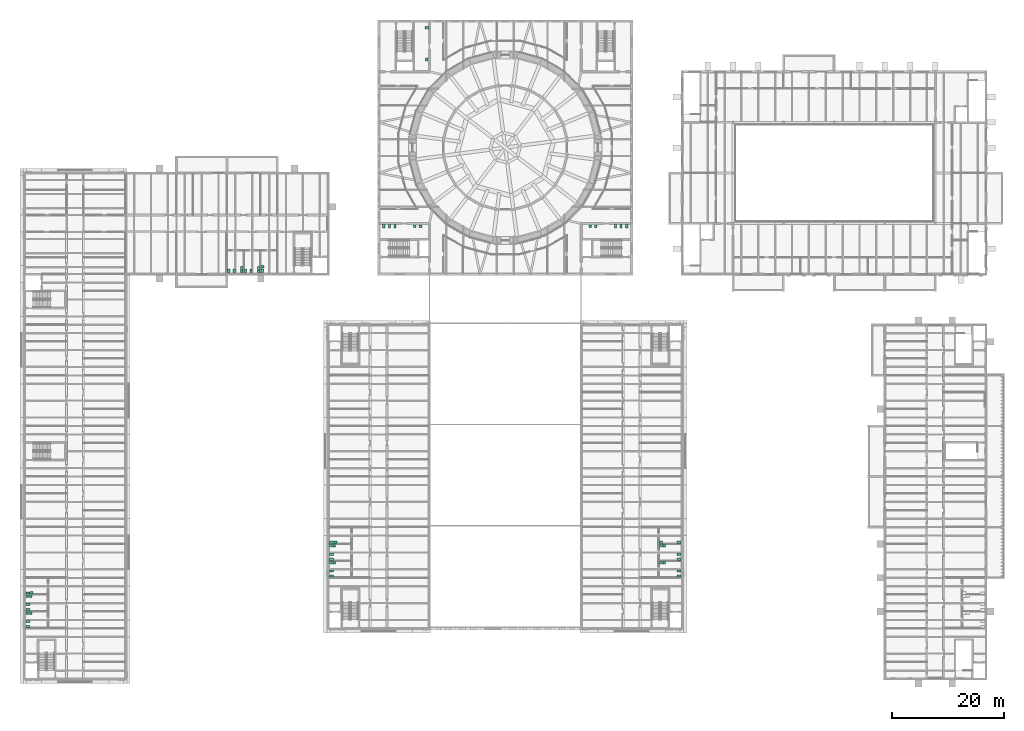
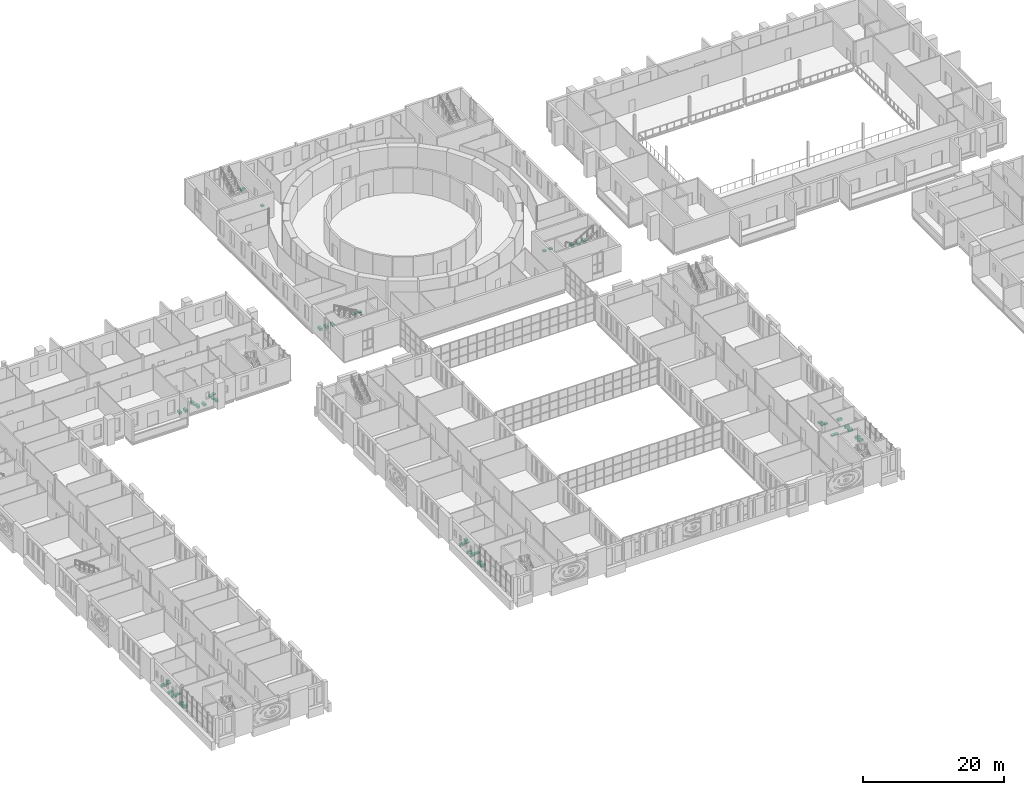
# One storey, part 130 of 131: 52 sanitary terminals.
"""IFC4 building model written with IfcOpenShell, lengths in metres."""

from ifc_helpers import new_model, si_unit, direction, frame, origin, origin_2d, place, context, subcontext, project, spatial, rectangle, extrude, material, type_object, element, save


model = new_model("IFC4")

# Units and contexts
model_context = context("Model", 3, precision=1e-05, world=origin(), true_north=direction((0.0, 1.0)))
body_context = subcontext(model_context, "Body", "Model", "MODEL_VIEW")
ifc_project = project(units=[si_unit("LENGTHUNIT", "METRE"), si_unit("AREAUNIT", "SQUARE_METRE"), si_unit("VOLUMEUNIT", "CUBIC_METRE"), si_unit("PLANEANGLEUNIT", "RADIAN"), si_unit("MASSUNIT", "GRAM", prefix="KILO")], contexts=[model_context])

# Site, building, storey
site_placement = place(None, origin())
site = spatial("IfcSite", under=ifc_project, at=site_placement, CompositionType="ELEMENT")
building_placement = place(site_placement, origin())
building = spatial("IfcBuilding", under=site, at=building_placement, Name="Golden Quay Civic Hall", CompositionType="ELEMENT")
storey_placement = place(building_placement, frame((0.0, 0.0, 9.89990234375)))
storey = spatial("IfcBuildingStorey", under=building, at=storey_placement, Name="L02", CompositionType="ELEMENT", Elevation=9.89990234375)

# Sanitary terminals
ifc_material_1 = material(Name="Ceramic")
sanitary_terminal_type_1 = type_object("IfcSanitaryTerminalType", Name="Toilet pan", PredefinedType="TOILETPAN", material=ifc_material_1)
for number, where, z_axis, x_axis, name in (
    (1, (63.89990234375, 71.550048828125, 0.000244140625), (0.0, 0.0, 1.0), (1.0, 0.0, 0.0), "Toilet pan"),
    (2, (64.89990234375, 71.550048828125, 0.000244140625), (0.0, 0.0, 1.0), (1.0, 0.0, 0.0), "Toilet pan"),
    (3, (65.89990234375, 71.550048828125, 0.000244140625), (0.0, 0.0, 1.0), (1.0, 0.0, 0.0), "Toilet pan"),
    (4, (107.10009765625, 71.550048828125, 0.000244140625), (0.0, 0.0, 1.0), (1.0, 0.0, 0.0), "Toilet pan"),
    (5, (106.10009765625, 71.550048828125, 0.000244140625), (0.0, 0.0, 1.0), (1.0, 0.0, 0.0), "Toilet pan"),
    (6, (105.10009765625, 71.550048828125, 0.000244140625), (0.0, 0.0, 1.0), (1.0, 0.0, 0.0), "Toilet pan"),
    (7, (71.550048828125, 106.800048828125, 0.000244140625), (0.0, 0.0, 1.0), (0.0, 1.0, 0.0), "Toilet pan"),
    (8, (116.39990234375, 9.324951171875, 0.000244140625), (0.0, 0.0, 1.0), (0.0, 1.0, 0.0), "Toilet pan"),
    (9, (116.39990234375, 10.22509765625, 0.000244140625), (0.0, 0.0, 1.0), (0.0, 1.0, 0.0), "Toilet pan"),
    (10, (116.39990234375, 12.300048828125, 0.000244140625), (0.0, 0.0, 1.0), (0.0, 1.0, 0.0), "Toilet pan"),
    (11, (116.39990234375, 13.199951171875, 0.000244140625), (0.0, 0.0, 1.0), (0.0, 1.0, 0.0), "Toilet pan"),
    (12, (116.39990234375, 15.300048828125, 0.000244140625), (0.0, 0.0, 1.0), (0.0, 1.0, 0.0), "Toilet pan"),
    (13, (36.324951171875, 63.60009765625, 0.000244140625), (0.0, 0.0, 1.0), (1.0, 0.0, 0.0), "Toilet pan"),
    (14, (37.324951171875, 63.60009765625, 0.000244140625), (0.0, 0.0, 1.0), (1.0, 0.0, 0.0), "Toilet pan"),
    (15, (39.300048828125, 63.60009765625, 0.000244140625), (0.0, 0.0, 1.0), (1.0, 0.0, 0.0), "Toilet pan"),
    (16, (40.300048828125, 63.60009765625, 0.000244140625), (0.0, 0.0, 1.0), (1.0, 0.0, 0.0), "Toilet pan"),
    (17, (42.300048828125, 63.60009765625, 0.000244140625), (0.0, 0.0, 1.0), (1.0, 0.0, 0.0), "Toilet pan"),
    (18, (54.60009765625, 9.324951171875, 0.000244140625), (0.0, 0.0, 1.0), (0.0, 1.0, 0.0), "Toilet pan"),
    (19, (54.60009765625, 10.22509765625, 0.000244140625), (0.0, 0.0, 1.0), (0.0, 1.0, 0.0), "Toilet pan"),
    (20, (54.60009765625, 12.300048828125, 0.000244140625), (0.0, 0.0, 1.0), (0.0, 1.0, 0.0), "Toilet pan"),
    (21, (54.60009765625, 13.199951171875, 0.000244140625), (0.0, 0.0, 1.0), (0.0, 1.0, 0.0), "Toilet pan"),
    (22, (54.60009765625, 15.300048828125, 0.000244140625), (0.0, 0.0, 1.0), (0.0, 1.0, 0.0), "Toilet pan"),
    (23, (0.60009765625, 0.324951171875, 0.000244140625), (0.0, 0.0, 1.0), (0.0, 1.0, 0.0), "Toilet pan"),
    (24, (0.60009765625, 1.22509765625, 0.000244140625), (0.0, 0.0, 1.0), (0.0, 1.0, 0.0), "Toilet pan"),
    (25, (0.60009765625, 3.300048828125, 0.000244140625), (0.0, 0.0, 1.0), (0.0, 1.0, 0.0), "Toilet pan"),
    (26, (0.60009765625, 4.300048828125, 0.000244140625), (0.0, 0.0, 1.0), (0.0, 1.0, 0.0), "Toilet pan"),
    (27, (0.60009765625, 6.300048828125, 0.000244140625), (0.0, 0.0, 1.0), (0.0, 1.0, 0.0), "Toilet pan"),
):
    element("IfcSanitaryTerminal", number, at=place(storey_placement, frame(where, z_axis=z_axis, x_axis=x_axis)), inside=storey, type_object=sanitary_terminal_type_1, Name=name, PredefinedType="TOILETPAN", context=body_context, shape_type="SweptSolid", body=[
        extrude(rectangle(XDim=0.39990234375, YDim=0.699951171875, at=origin_2d()), origin(), (0.0, 0.0, 1.0), 0.39990234375),
    ])
ifc_material_2 = material(Name="Ceramic")
sanitary_terminal_type_2 = type_object("IfcSanitaryTerminalType", Name="Wash basin", PredefinedType="WASHHANDBASIN", material=ifc_material_2)
for number, where, z_axis, x_axis, name in (
    (28, (69.39990234375, 71.550048828125, 0.7001953125), (0.0, 0.0, 1.0), (1.0, 0.0, 0.0), "Wash basin"),
    (29, (70.39990234375, 71.550048828125, 0.7001953125), (0.0, 0.0, 1.0), (1.0, 0.0, 0.0), "Wash basin"),
    (30, (101.60009765625, 71.550048828125, 0.7001953125), (0.0, 0.0, 1.0), (1.0, 0.0, 0.0), "Wash basin"),
    (31, (100.60009765625, 71.550048828125, 0.7001953125), (0.0, 0.0, 1.0), (1.0, 0.0, 0.0), "Wash basin"),
    (32, (71.550048828125, 101.199951171875, 0.7001953125), (0.0, 0.0, 1.0), (0.0, 1.0, 0.0), "Wash basin"),
    (33, (113.175048828125, 11.675048828125, 0.7001953125), (0.0, 0.0, 1.0), (1.0, 0.0, 0.0), "Wash basin"),
    (34, (113.77490234375, 11.675048828125, 0.7001953125), (0.0, 0.0, 1.0), (1.0, 0.0, 0.0), "Wash basin"),
    (35, (113.175048828125, 14.675048828125, 0.7001953125), (0.0, 0.0, 1.0), (1.0, 0.0, 0.0), "Wash basin"),
    (36, (113.77490234375, 14.675048828125, 0.7001953125), (0.0, 0.0, 1.0), (1.0, 0.0, 0.0), "Wash basin"),
    (37, (113.175048828125, 15.324951171875, 0.7001953125), (0.0, 0.0, 1.0), (1.0, 0.0, 0.0), "Wash basin"),
    (38, (38.675048828125, 63.5, 0.7001953125), (0.0, 0.0, 1.0), (0.0, 1.0, 0.0), "Wash basin"),
    (39, (38.675048828125, 64.10009765625, 0.7001953125), (0.0, 0.0, 1.0), (0.0, 1.0, 0.0), "Wash basin"),
    (40, (41.675048828125, 63.5, 0.7001953125), (0.0, 0.0, 1.0), (0.0, 1.0, 0.0), "Wash basin"),
    (41, (41.675048828125, 64.10009765625, 0.7001953125), (0.0, 0.0, 1.0), (0.0, 1.0, 0.0), "Wash basin"),
    (42, (42.324951171875, 64.300048828125, 0.7001953125), (0.0, 0.0, 1.0), (0.0, 1.0, 0.0), "Wash basin"),
    (43, (54.5, 11.675048828125, 0.7001953125), (0.0, 0.0, 1.0), (1.0, 0.0, 0.0), "Wash basin"),
    (44, (55.10009765625, 11.675048828125, 0.7001953125), (0.0, 0.0, 1.0), (1.0, 0.0, 0.0), "Wash basin"),
    (45, (54.5, 14.675048828125, 0.7001953125), (0.0, 0.0, 1.0), (1.0, 0.0, 0.0), "Wash basin"),
    (46, (55.10009765625, 14.675048828125, 0.7001953125), (0.0, 0.0, 1.0), (1.0, 0.0, 0.0), "Wash basin"),
    (47, (55.300048828125, 15.324951171875, 0.7001953125), (0.0, 0.0, 1.0), (1.0, 0.0, 0.0), "Wash basin"),
    (48, (0.5, 2.675048828125, 0.7001953125), (0.0, 0.0, 1.0), (1.0, 0.0, 0.0), "Wash basin"),
    (49, (1.10009765625, 2.675048828125, 0.7001953125), (0.0, 0.0, 1.0), (1.0, 0.0, 0.0), "Wash basin"),
    (50, (0.5, 5.675048828125, 0.7001953125), (0.0, 0.0, 1.0), (1.0, 0.0, 0.0), "Wash basin"),
    (51, (1.10009765625, 5.675048828125, 0.7001953125), (0.0, 0.0, 1.0), (1.0, 0.0, 0.0), "Wash basin"),
    (52, (1.300048828125, 6.324951171875, 0.7001953125), (0.0, 0.0, 1.0), (1.0, 0.0, 0.0), "Wash basin"),
):
    element("IfcSanitaryTerminal", number, at=place(storey_placement, frame(where, z_axis=z_axis, x_axis=x_axis)), inside=storey, type_object=sanitary_terminal_type_2, Name=name, PredefinedType="WASHHANDBASIN", context=body_context, shape_type="SweptSolid", body=[
        extrude(rectangle(XDim=0.5, YDim=0.449951171875, at=origin_2d()), origin(), (0.0, 0.0, 1.0), 0.199951171875),
    ])

save(model, "model.ifc")
